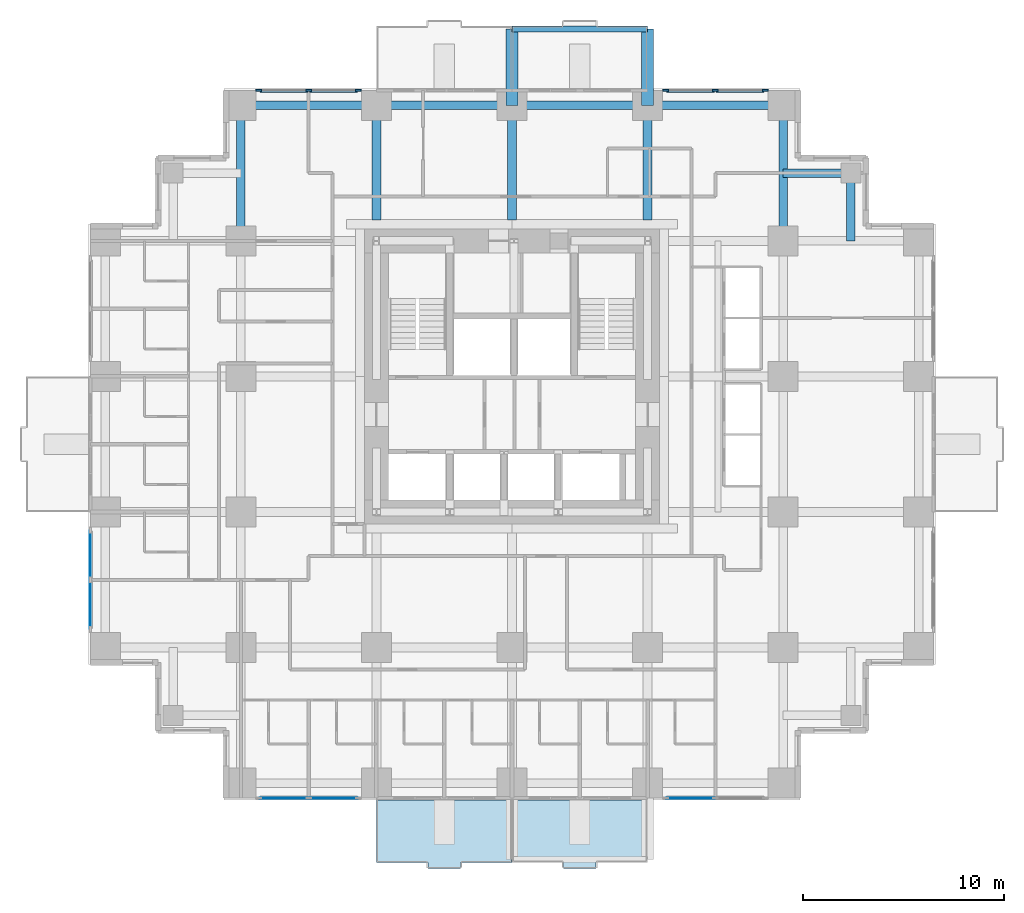
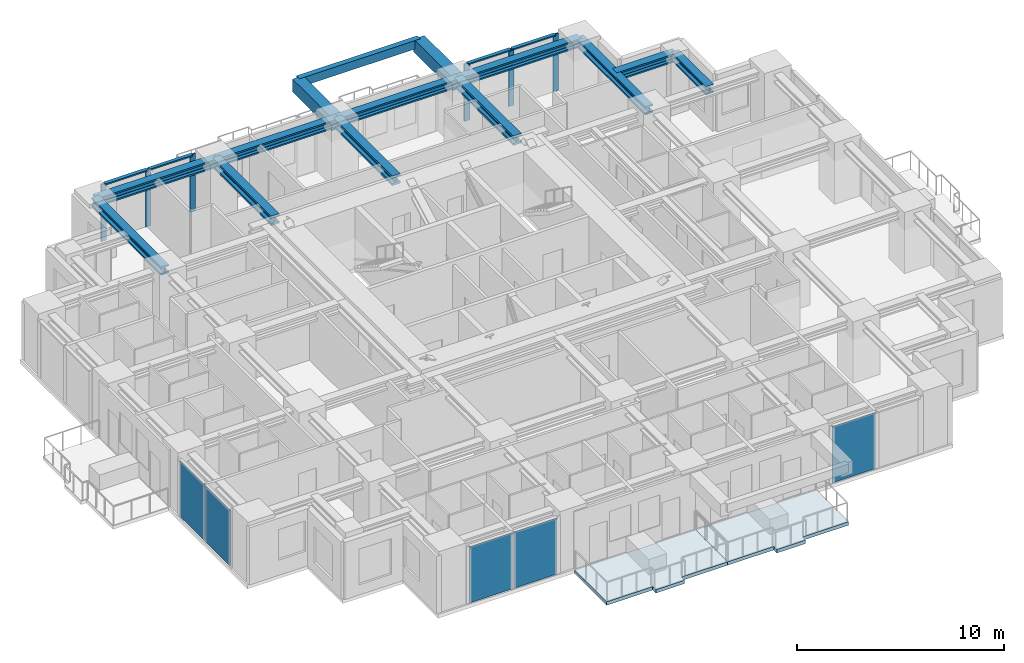
# One storey, part 3 of 11: 14 beams, 10 members, 5 plates, 2 slabs, 5 elements without a shape of their own.
"""IFC4 building model written with IfcOpenShell, lengths in metres."""

from ifc_helpers import new_model, si_unit, direction, frame, origin, origin_2d, place, context, subcontext, project, spatial, polyline, rectangle, i_section, outline, extrude, material, layer, layer_set, material_profile, profile_set, type_object, element, aggregate, save


model = new_model("IFC4")

# Units and contexts
model_context = context("Model", 3, precision=1e-05, world=origin(), true_north=direction((0.0, 1.0)))
body_context = subcontext(model_context, "Body", "Model", "MODEL_VIEW")
ifc_project = project(units=[si_unit("LENGTHUNIT", "METRE"), si_unit("AREAUNIT", "SQUARE_METRE"), si_unit("VOLUMEUNIT", "CUBIC_METRE"), si_unit("PLANEANGLEUNIT", "RADIAN"), si_unit("MASSUNIT", "GRAM", prefix="KILO")], contexts=[model_context])

# Site, building, storey
site_placement = place(None, origin())
site = spatial("IfcSite", under=ifc_project, at=site_placement, CompositionType="ELEMENT")
building_placement = place(site_placement, origin())
building = spatial("IfcBuilding", under=site, at=building_placement, Name="Nyansa Garden Tower", CompositionType="ELEMENT")
storey_placement = place(building_placement, frame((0.0, 0.0, 108.89990234375)))
storey = spatial("IfcBuildingStorey", under=building, at=storey_placement, Name="L29", CompositionType="ELEMENT", Elevation=108.89990234375)

# Beams
ifc_material_1 = material(Name="Concrete C70/85", Category="concrete")
ifc_material_profile_1 = material_profile(ifc_material_1, rectangle(XDim=0.60009765625, YDim=0.75, at=origin_2d()), Name="RC 600x750")
ifc_profile_set_1 = profile_set([ifc_material_profile_1], Name="Concrete C70/85")
beam_type_1 = type_object("IfcBeamType", Name="Balcony cantilever beam CB1 RC 600x750", PredefinedType="BEAM", material=ifc_profile_set_1)
for number, where, z_axis, x_axis, name in (
    (1, (20.25, 33.75, 2.985107421875), (0.0, 1.0, 0.0), (-1.0, 0.0, 0.0), "Balcony cantilever beam L30"),
    (2, (27.0, 33.75, 2.985107421875), (0.0, 1.0, 0.0), (-1.0, 0.0, 0.0), "Balcony cantilever beam L30"),
):
    element("IfcBeam", number, at=place(storey_placement, frame(where, z_axis=z_axis, x_axis=x_axis)), inside=storey, type_object=beam_type_1, Name=name, PredefinedType="BEAM", context=body_context, shape_type="SweptSolid", body=[
        extrude(rectangle(XDim=0.60009765625, YDim=0.75, at=origin_2d()), origin(), (0.0, 0.0, 1.0), 3.800048828125),
    ])
ifc_material_2 = material(Name="Concrete C70/85", Category="concrete")
ifc_material_profile_2 = material_profile(ifc_material_2, rectangle(XDim=0.300048828125, YDim=0.5, at=origin_2d()), Name="RC 300x500")
ifc_profile_set_2 = profile_set([ifc_material_profile_2], Name="Concrete C70/85")
beam_type_2 = type_object("IfcBeamType", Name="Balcony edge beam BE1 RC 300x500", PredefinedType="BEAM", material=ifc_profile_set_2)
beam_placement = place(storey_placement, frame((20.25, 37.550048828125, 3.110107421875), z_axis=(1.0, 0.0, 0.0), x_axis=(0.0, 1.0, 0.0)))
element("IfcBeam", 3, at=beam_placement, inside=storey, type_object=beam_type_2, Name="Balcony edge beam L30", PredefinedType="BEAM", context=body_context, shape_type="SweptSolid", body=[
    extrude(rectangle(XDim=0.300048828125, YDim=0.5, at=origin_2d()), origin(), (0.0, 0.0, 1.0), 6.75),
])

# Curtain wall, members
ifc_material_3 = material(Name="Black anodised aluminium, dark tinted double glazing", Category="aluminium")
curtain_wall_type = type_object("IfcCurtainWallType", Name="Sky lounge curtain wall SLW", PredefinedType="USERDEFINED", material=ifc_material_3)
curtain_wall_1_placement = place(storey_placement, origin())
curtain_wall_1 = element("IfcCurtainWall", 4, at=curtain_wall_1_placement, inside=storey, type_object=curtain_wall_type, Name="Inner skin curtain wall L29 N", ObjectType="UNITISED CURTAIN WALL", PredefinedType="USERDEFINED")
ifc_material_4 = material(Name="Black anodised aluminium", Category="aluminium")
ifc_material_profile_3 = material_profile(ifc_material_4, rectangle(XDim=0.080078125, YDim=0.300048828125, at=origin_2d()), Name="Mullion 300x80")
ifc_profile_set_3 = profile_set([ifc_material_profile_3], Name="Black anodised aluminium")
member_type_1 = type_object("IfcMemberType", Name="Mullion SLW 300x80", PredefinedType="MULLION", material=ifc_profile_set_3)
member_1_placement = place(storey_placement, frame((12.60009765625, 34.5, 0.0), z_axis=(0.0, 0.0, 1.0), x_axis=(0.0, -1.0, 0.0)))
member_1 = element("IfcMember", 5, at=member_1_placement, type_object=member_type_1, Name="SLW mullion 1", PredefinedType="MULLION", context=body_context, shape_type="SweptSolid", body=[
    extrude(rectangle(XDim=0.080078125, YDim=0.300048828125, at=origin_2d()), origin(), (0.0, 0.0, 1.0), 3.375),
])
member_2_placement = place(storey_placement, frame((10.125, 34.5, 0.0), z_axis=(0.0, 0.0, 1.0), x_axis=(0.0, -1.0, 0.0)))
member_2 = element("IfcMember", 6, at=member_2_placement, type_object=member_type_1, Name="SLW mullion 2", PredefinedType="MULLION", context=body_context, shape_type="SweptSolid", body=[
    extrude(rectangle(XDim=0.080078125, YDim=0.300048828125, at=origin_2d()), origin(), (0.0, 0.0, 1.0), 3.375),
])
member_3_placement = place(storey_placement, frame((7.64990234375, 34.5, 0.0), z_axis=(0.0, 0.0, 1.0), x_axis=(0.0, -1.0, 0.0)))
member_3 = element("IfcMember", 7, at=member_3_placement, type_object=member_type_1, Name="SLW mullion 3", PredefinedType="MULLION", context=body_context, shape_type="SweptSolid", body=[
    extrude(rectangle(XDim=0.080078125, YDim=0.300048828125, at=origin_2d()), origin(), (0.0, 0.0, 1.0), 3.375),
])

curtain_wall_2_placement = place(storey_placement, origin())
curtain_wall_2 = element("IfcCurtainWall", 8, at=curtain_wall_2_placement, inside=storey, type_object=curtain_wall_type, Name="Inner skin curtain wall L29 N", ObjectType="UNITISED CURTAIN WALL", PredefinedType="USERDEFINED")
member_4_placement = place(storey_placement, frame((32.85009765625, 34.5, 0.0), z_axis=(0.0, 0.0, 1.0), x_axis=(0.0, -1.0, 0.0)))
member_4 = element("IfcMember", 9, at=member_4_placement, type_object=member_type_1, Name="SLW mullion 1", PredefinedType="MULLION", context=body_context, shape_type="SweptSolid", body=[
    extrude(rectangle(XDim=0.080078125, YDim=0.300048828125, at=origin_2d()), origin(), (0.0, 0.0, 1.0), 3.375),
])
member_5_placement = place(storey_placement, frame((30.375, 34.5, 0.0), z_axis=(0.0, 0.0, 1.0), x_axis=(0.0, -1.0, 0.0)))
member_5 = element("IfcMember", 10, at=member_5_placement, type_object=member_type_1, Name="SLW mullion 2", PredefinedType="MULLION", context=body_context, shape_type="SweptSolid", body=[
    extrude(rectangle(XDim=0.080078125, YDim=0.300048828125, at=origin_2d()), origin(), (0.0, 0.0, 1.0), 3.375),
])
member_6_placement = place(storey_placement, frame((27.89990234375, 34.5, 0.0), z_axis=(0.0, 0.0, 1.0), x_axis=(0.0, -1.0, 0.0)))
member_6 = element("IfcMember", 11, at=member_6_placement, type_object=member_type_1, Name="SLW mullion 3", PredefinedType="MULLION", context=body_context, shape_type="SweptSolid", body=[
    extrude(rectangle(XDim=0.080078125, YDim=0.300048828125, at=origin_2d()), origin(), (0.0, 0.0, 1.0), 3.375),
])

# Beams
ifc_material_5 = material(Name="Steel S355", Category="steel")
ifc_material_profile_4 = material_profile(ifc_material_5, i_section(OverallWidth=0.431884765625, OverallDepth=0.498046875, WebThickness=0.0556640625, FlangeThickness=0.0888671875, FilletRadius=0.014892578125, at=origin_2d()), Name="HD 400x744")
ifc_profile_set_4 = profile_set([ifc_material_profile_4], Name="Steel S355")
beam_type_3 = type_object("IfcBeamType", Name="Steel beam SBB1-744 HD 400x744", PredefinedType="BEAM", material=ifc_profile_set_4)
for number, where, z_axis, x_axis, name in (
    (12, (6.75, 27.0, 3.1259765625), (0.0, 1.0, 0.0), (-1.0, 0.0, 0.0), "Steel beam 3/H-3/J L30"),
    (13, (33.75, 27.0, 3.1259765625), (0.0, 1.0, 0.0), (-1.0, 0.0, 0.0), "Steel beam 7/H-7/J L30"),
):
    element("IfcBeam", number, at=place(storey_placement, frame(where, z_axis=z_axis, x_axis=x_axis)), inside=storey, type_object=beam_type_3, Name=name, PredefinedType="BEAM", context=body_context, shape_type="SweptSolid", body=[
        extrude(i_section(OverallWidth=0.431884765625, OverallDepth=0.498046875, WebThickness=0.0556640625, FlangeThickness=0.0888671875, FilletRadius=0.014892578125, at=origin_2d()), origin(), (0.0, 0.0, 1.0), 6.75),
    ])
ifc_material_6 = material(Name="Steel S355", Category="steel")
ifc_material_profile_5 = material_profile(ifc_material_6, i_section(OverallWidth=0.4541015625, OverallDepth=0.569091796875, WebThickness=0.077880859375, FlangeThickness=0.125, FilletRadius=0.014892578125, at=origin_2d()), Name="HD 400x1086")
ifc_profile_set_5 = profile_set([ifc_material_profile_5], Name="Steel S355")
beam_type_4 = type_object("IfcBeamType", Name="Steel beam SCL-1086 HD 400x1086", PredefinedType="BEAM", material=ifc_profile_set_5)
for number, where, z_axis, x_axis, name in (
    (14, (13.5, 28.050048828125, 3.090576171875), (0.0, 1.0, 0.0), (-1.0, 0.0, 0.0), "Steel beam 4/28.050-4/J L30"),
    (15, (20.25, 28.050048828125, 3.090576171875), (0.0, 1.0, 0.0), (-1.0, 0.0, 0.0), "Steel beam 5/28.050-5/J L30"),
    (16, (27.0, 28.050048828125, 3.090576171875), (0.0, 1.0, 0.0), (-1.0, 0.0, 0.0), "Steel beam 6/28.050-6/J L30"),
):
    element("IfcBeam", number, at=place(storey_placement, frame(where, z_axis=z_axis, x_axis=x_axis)), inside=storey, type_object=beam_type_4, Name=name, PredefinedType="BEAM", context=body_context, shape_type="SweptSolid", body=[
        extrude(i_section(OverallWidth=0.4541015625, OverallDepth=0.569091796875, WebThickness=0.077880859375, FlangeThickness=0.125, FilletRadius=0.014892578125, at=origin_2d()), origin(), (0.0, 0.0, 1.0), 5.699951171875),
    ])
ifc_material_7 = material(Name="Steel S355", Category="steel")
ifc_material_profile_6 = material_profile(ifc_material_7, i_section(OverallWidth=0.431884765625, OverallDepth=0.498046875, WebThickness=0.0556640625, FlangeThickness=0.0888671875, FilletRadius=0.014892578125, at=origin_2d()), Name="HD 400x744")
ifc_profile_set_6 = profile_set([ifc_material_profile_6], Name="Steel S355")
beam_type_5 = type_object("IfcBeamType", Name="Steel beam SEBB-744 HD 400x744", PredefinedType="BEAM", material=ifc_profile_set_6)
for number, where, z_axis, x_axis, name in (
    (17, (6.75, 33.75, 3.1259765625), (1.0, 0.0, 0.0), (0.0, 1.0, 0.0), "Steel edge beam 3/J-4/J L30"),
    (18, (13.5, 33.75, 3.1259765625), (1.0, 0.0, 0.0), (0.0, 1.0, 0.0), "Steel edge beam 4/J-5/J L30"),
    (19, (20.25, 33.75, 3.1259765625), (1.0, 0.0, 0.0), (0.0, 1.0, 0.0), "Steel edge beam 5/J-6/J L30"),
    (20, (27.0, 33.75, 3.1259765625), (1.0, 0.0, 0.0), (0.0, 1.0, 0.0), "Steel edge beam 6/J-7/J L30"),
):
    element("IfcBeam", number, at=place(storey_placement, frame(where, z_axis=z_axis, x_axis=x_axis)), inside=storey, type_object=beam_type_5, Name=name, PredefinedType="BEAM", context=body_context, shape_type="SweptSolid", body=[
        extrude(i_section(OverallWidth=0.431884765625, OverallDepth=0.498046875, WebThickness=0.0556640625, FlangeThickness=0.0888671875, FilletRadius=0.014892578125, at=origin_2d()), origin(), (0.0, 0.0, 1.0), 6.75),
    ])
ifc_material_8 = material(Name="Steel S355", Category="steel")
ifc_material_profile_7 = material_profile(ifc_material_8, i_section(OverallWidth=0.431884765625, OverallDepth=0.498046875, WebThickness=0.0556640625, FlangeThickness=0.0888671875, FilletRadius=0.014892578125, at=origin_2d()), Name="HD 400x744")
ifc_profile_set_7 = profile_set([ifc_material_profile_7], Name="Steel S355")
beam_type_6 = type_object("IfcBeamType", Name="Steel beam SSB1-744 HD 400x744", PredefinedType="BEAM", material=ifc_profile_set_7)
for number, where, z_axis, x_axis, name in (
    (21, (37.125, 30.375, 3.1259765625), (0.0, -1.0, 0.0), (1.0, 0.0, 0.0), "Steel step beam 37.125/30.375 L30"),
    (22, (37.125, 30.375, 3.1259765625), (-1.0, 0.0, 0.0), (0.0, -1.0, 0.0), "Steel step beam 37.125/30.375 L30"),
):
    element("IfcBeam", number, at=place(storey_placement, frame(where, z_axis=z_axis, x_axis=x_axis)), inside=storey, type_object=beam_type_6, Name=name, PredefinedType="BEAM", context=body_context, shape_type="SweptSolid", body=[
        extrude(i_section(OverallWidth=0.431884765625, OverallDepth=0.498046875, WebThickness=0.0556640625, FlangeThickness=0.0888671875, FilletRadius=0.014892578125, at=origin_2d()), origin(), (0.0, 0.0, 1.0), 3.375),
    ])

# Member
ifc_material_9 = material(Name="Black anodised aluminium", Category="aluminium")
ifc_material_profile_8 = material_profile(ifc_material_9, rectangle(XDim=0.199951171875, YDim=0.080078125, at=origin_2d()), Name="Transom 200x80")
ifc_profile_set_8 = profile_set([ifc_material_profile_8], Name="Black anodised aluminium")
member_type_2 = type_object("IfcMemberType", Name="Transom SLW 200x80", PredefinedType="USERDEFINED", material=ifc_profile_set_8)
member_7_placement = place(storey_placement, frame((12.56005859375, 34.5, 3.335205078125), z_axis=(-1.0, 0.0, 0.0), x_axis=(0.0, -1.0, 0.0)))
member_7 = element("IfcMember", 23, at=member_7_placement, type_object=member_type_2, Name="SLW transom 1", ObjectType="TRANSOM", PredefinedType="USERDEFINED", context=body_context, shape_type="SweptSolid", body=[
    extrude(rectangle(XDim=0.199951171875, YDim=0.080078125, at=origin_2d()), origin(), (0.0, 0.0, 1.0), 2.39501953125),
])

member_8_placement = place(storey_placement, frame((10.0849609375, 34.5, 3.335205078125), z_axis=(-1.0, 0.0, 0.0), x_axis=(0.0, -1.0, 0.0)))
member_8 = element("IfcMember", 24, at=member_8_placement, type_object=member_type_2, Name="SLW transom 2", ObjectType="TRANSOM", PredefinedType="USERDEFINED", context=body_context, shape_type="SweptSolid", body=[
    extrude(rectangle(XDim=0.199951171875, YDim=0.080078125, at=origin_2d()), origin(), (0.0, 0.0, 1.0), 2.39501953125),
])

aggregate(curtain_wall_1, [member_1, member_2, member_3, member_7, member_8])

member_9_placement = place(storey_placement, frame((32.81005859375, 34.5, 3.335205078125), z_axis=(-1.0, 0.0, 0.0), x_axis=(0.0, -1.0, 0.0)))
member_9 = element("IfcMember", 25, at=member_9_placement, type_object=member_type_2, Name="SLW transom 1", ObjectType="TRANSOM", PredefinedType="USERDEFINED", context=body_context, shape_type="SweptSolid", body=[
    extrude(rectangle(XDim=0.199951171875, YDim=0.080078125, at=origin_2d()), origin(), (0.0, 0.0, 1.0), 2.39501953125),
])

member_10_placement = place(storey_placement, frame((30.3349609375, 34.5, 3.335205078125), z_axis=(-1.0, 0.0, 0.0), x_axis=(0.0, -1.0, 0.0)))
member_10 = element("IfcMember", 26, at=member_10_placement, type_object=member_type_2, Name="SLW transom 2", ObjectType="TRANSOM", PredefinedType="USERDEFINED", context=body_context, shape_type="SweptSolid", body=[
    extrude(rectangle(XDim=0.199951171875, YDim=0.080078125, at=origin_2d()), origin(), (0.0, 0.0, 1.0), 2.39501953125),
])

aggregate(curtain_wall_2, [member_4, member_5, member_6, member_9, member_10])

# Slabs
ifc_material_10 = material(Name="Concrete C40/50", Category="concrete")
ifc_layer_1 = layer(ifc_material_10, 0.199951171875)
ifc_layer_set_1 = layer_set([ifc_layer_1], Name="Balcony slab BS200")
slab_type = type_object("IfcSlabType", Name="Balcony slab BS200", PredefinedType="FLOOR", material=ifc_layer_set_1)
slab_1_placement = place(storey_placement, frame((0.0, 0.0, -0.239990234375)))
element("IfcSlab", 27, at=slab_1_placement, inside=storey, type_object=slab_type, Name="Balcony L29 S", PredefinedType="FLOOR", context=body_context, shape_type="SweptSolid", body=[
    extrude(outline(polyline([(13.5, -0.85009765625), (20.25, -0.85009765625), (20.25, -3.949951171875), (17.675048828125, -3.949951171875), (17.675048828125, -4.25), (16.074951171875, -4.25), (16.074951171875, -3.949951171875), (13.5, -3.949951171875), (13.5, -0.85009765625)])), origin(), (0.0, 0.0, 1.0), 0.2001953125),
])
slab_2_placement = place(storey_placement, frame((0.0, 0.0, -0.239990234375)))
element("IfcSlab", 28, at=slab_2_placement, inside=storey, type_object=slab_type, Name="Balcony L29 S", PredefinedType="FLOOR", context=body_context, shape_type="SweptSolid", body=[
    extrude(outline(polyline([(20.25, -0.85009765625), (27.0, -0.85009765625), (27.0, -3.949951171875), (24.425048828125, -3.949951171875), (24.425048828125, -4.25), (22.824951171875, -4.25), (22.824951171875, -3.949951171875), (20.25, -3.949951171875), (20.25, -0.85009765625)])), origin(), (0.0, 0.0, 1.0), 0.2001953125),
])

# Curtain wall, plates
curtain_wall_3_placement = place(storey_placement, origin())
curtain_wall_3 = element("IfcCurtainWall", 29, at=curtain_wall_3_placement, inside=storey, type_object=curtain_wall_type, Name="Inner skin curtain wall L29 W", ObjectType="UNITISED CURTAIN WALL", PredefinedType="USERDEFINED")
ifc_material_11 = material(Name="Dark tinted laminated double glazing", Category="glass")
ifc_layer_2 = layer(ifc_material_11, 0.048095703125)
ifc_layer_set_2 = layer_set([ifc_layer_2], Name="Lounge vision panel VP-L")
plate_type = type_object("IfcPlateType", Name="Lounge vision panel VP-L", PredefinedType="CURTAIN_PANEL", material=ifc_layer_set_2)
plate_1_placement = place(storey_placement, frame((-0.75, 11.362548828125, 0.000244140625), z_axis=(0.0, 0.0, 1.0), x_axis=(0.0, -1.0, 0.0)))
plate_1 = element("IfcPlate", 30, at=plate_1_placement, type_object=plate_type, Name="SLW panel 1", PredefinedType="CURTAIN_PANEL", context=body_context, shape_type="SweptSolid", body=[
    extrude(rectangle(XDim=2.39501953125, YDim=0.048095703125, at=origin_2d()), origin(), (0.0, 0.0, 1.0), 3.294921875),
])
plate_2_placement = place(storey_placement, frame((-0.75, 8.887451171875, 0.000244140625), z_axis=(0.0, 0.0, 1.0), x_axis=(0.0, -1.0, 0.0)))
plate_2 = element("IfcPlate", 31, at=plate_2_placement, type_object=plate_type, Name="SLW panel 2", PredefinedType="CURTAIN_PANEL", context=body_context, shape_type="SweptSolid", body=[
    extrude(rectangle(XDim=2.39501953125, YDim=0.048095703125, at=origin_2d()), origin(), (0.0, 0.0, 1.0), 3.294921875),
])
aggregate(curtain_wall_3, [plate_1, plate_2])

curtain_wall_4_placement = place(storey_placement, origin())
curtain_wall_4 = element("IfcCurtainWall", 32, at=curtain_wall_4_placement, inside=storey, type_object=curtain_wall_type, Name="Inner skin curtain wall L29 S", ObjectType="UNITISED CURTAIN WALL", PredefinedType="USERDEFINED")
plate_3_placement = place(storey_placement, frame((8.887451171875, -0.75, 0.000244140625), z_axis=(0.0, 0.0, 1.0), x_axis=(1.0, 0.0, 0.0)))
plate_3 = element("IfcPlate", 33, at=plate_3_placement, type_object=plate_type, Name="SLW panel 1", PredefinedType="CURTAIN_PANEL", context=body_context, shape_type="SweptSolid", body=[
    extrude(rectangle(XDim=2.39501953125, YDim=0.048095703125, at=origin_2d()), origin(), (0.0, 0.0, 1.0), 3.294921875),
])
plate_4_placement = place(storey_placement, frame((11.362548828125, -0.75, 0.000244140625), z_axis=(0.0, 0.0, 1.0), x_axis=(1.0, 0.0, 0.0)))
plate_4 = element("IfcPlate", 34, at=plate_4_placement, type_object=plate_type, Name="SLW panel 2", PredefinedType="CURTAIN_PANEL", context=body_context, shape_type="SweptSolid", body=[
    extrude(rectangle(XDim=2.39501953125, YDim=0.048095703125, at=origin_2d()), origin(), (0.0, 0.0, 1.0), 3.294921875),
])
aggregate(curtain_wall_4, [plate_3, plate_4])

# Curtain wall, plate
curtain_wall_5_placement = place(storey_placement, origin())
curtain_wall_5 = element("IfcCurtainWall", 35, at=curtain_wall_5_placement, inside=storey, type_object=curtain_wall_type, Name="Inner skin curtain wall L29 S", ObjectType="UNITISED CURTAIN WALL", PredefinedType="USERDEFINED")
plate_5_placement = place(storey_placement, frame((29.137451171875, -0.75, 0.000244140625), z_axis=(0.0, 0.0, 1.0), x_axis=(1.0, 0.0, 0.0)))
plate_5 = element("IfcPlate", 36, at=plate_5_placement, type_object=plate_type, Name="SLW panel 1", PredefinedType="CURTAIN_PANEL", context=body_context, shape_type="SweptSolid", body=[
    extrude(rectangle(XDim=2.39501953125, YDim=0.048095703125, at=origin_2d()), origin(), (0.0, 0.0, 1.0), 3.294921875),
])
aggregate(curtain_wall_5, [plate_5])

save(model, "model.ifc")
